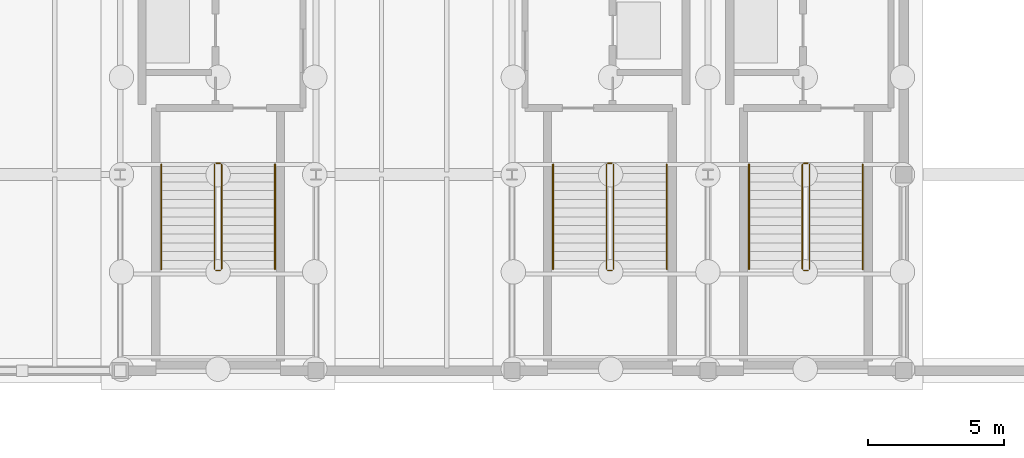
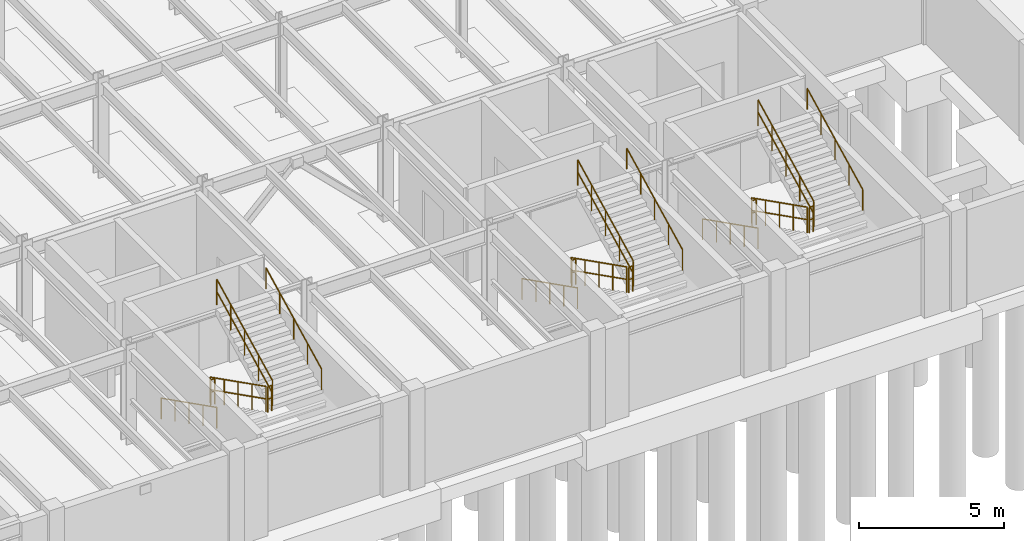
# One storey, part 44 of 46: 18 railings.
"""IFC4 building model written with IfcOpenShell, lengths in metres."""

from ifc_helpers import new_model, si_unit, direction, frame, origin, origin_2d, place, context, subcontext, project, spatial, circle, extrude, material, layer, layer_set, type_object, element, save


model = new_model("IFC4")

# Units and contexts
model_context = context("Model", 3, precision=1e-05, world=origin(), true_north=direction((0.0, 1.0)))
body_context = subcontext(model_context, "Body", "Model", "MODEL_VIEW")
ifc_project = project(units=[si_unit("LENGTHUNIT", "METRE"), si_unit("AREAUNIT", "SQUARE_METRE"), si_unit("VOLUMEUNIT", "CUBIC_METRE"), si_unit("PLANEANGLEUNIT", "RADIAN"), si_unit("MASSUNIT", "GRAM", prefix="KILO")], contexts=[model_context])

# Site, building, storey
site_placement = place(None, origin())
site = spatial("IfcSite", under=ifc_project, at=site_placement, CompositionType="ELEMENT")
building_placement = place(site_placement, origin())
building = spatial("IfcBuilding", under=site, at=building_placement, Name="Sillqori Civic Hall", CompositionType="ELEMENT")
storey_placement = place(building_placement, frame((0.0, 0.0, -4.199951171875)))
storey = spatial("IfcBuildingStorey", under=building, at=storey_placement, Name="B01", CompositionType="ELEMENT", Elevation=-4.199951171875)

# Railings
ifc_material_1 = material(Name="Brushed Stainless Steel 316 Handrail", Category="steel")
ifc_layer_1 = layer(ifc_material_1, 0.044921875)
ifc_layer_set_1 = layer_set([ifc_layer_1], Name="Brushed Stainless Steel 316 Handrail")
railing_type_1 = type_object("IfcRailingType", Name="RLG-CORE-092", PredefinedType="HANDRAIL", material=ifc_layer_set_1)
railing_1_placement = place(storey_placement, frame((66.31005859375, 86.77001953125, 0.161376953125)))
element("IfcRailing", 1, at=railing_1_placement, inside=storey, type_object=railing_type_1, Name="B01 ST-06 stair handrail 1", PredefinedType="HANDRAIL", context=body_context, shape_type="SweptSolid", body=[
    extrude(circle(Radius=0.02392578125, at=origin_2d()), frame((0.0, 0.0, 0.8759765625), z_axis=(0.0, -0.892706606903, 0.450638340569), x_axis=(1.0, 0.0, 0.0)), (0.0, 0.0, 1.0), 4.301513671875),
    extrude(circle(Radius=0.02099609375, at=origin_2d()), origin(), (0.0, 0.0, 1.0), 0.851806640625),
    extrude(circle(Radius=0.02099609375, at=origin_2d()), frame((0.0, -0.9599609375, 0.484619140625)), (0.0, 0.0, 1.0), 0.851806640625),
    extrude(circle(Radius=0.02099609375, at=origin_2d()), frame((0.0, -1.919921875, 0.96923828125)), (0.0, 0.0, 1.0), 0.851806640625),
    extrude(circle(Radius=0.02099609375, at=origin_2d()), frame((0.0, -2.880126953125, 1.453857421875)), (0.0, 0.0, 1.0), 0.851806640625),
    extrude(circle(Radius=0.02099609375, at=origin_2d()), frame((0.0, -3.840087890625, 1.9384765625)), (0.0, 0.0, 1.0), 0.851806640625),
])
railing_2_placement = place(storey_placement, frame((70.489990234375, 82.929931640625, 2.261474609375)))
element("IfcRailing", 2, at=railing_2_placement, inside=storey, type_object=railing_type_1, Name="B01 ST-06 stair handrail 2", PredefinedType="HANDRAIL", context=body_context, shape_type="SweptSolid", body=[
    extrude(circle(Radius=0.02392578125, at=origin_2d()), frame((0.0, 0.0, 0.8759765625), z_axis=(0.0, 0.892706606903, 0.450638340569), x_axis=(-1.0, 0.0, 0.0)), (0.0, 0.0, 1.0), 4.301513671875),
    extrude(circle(Radius=0.02099609375, at=origin_2d()), origin(), (0.0, 0.0, 1.0), 0.851806640625),
    extrude(circle(Radius=0.02099609375, at=origin_2d()), frame((0.0, 0.9599609375, 0.484619140625)), (0.0, 0.0, 1.0), 0.851806640625),
    extrude(circle(Radius=0.02099609375, at=origin_2d()), frame((0.0, 1.919921875, 0.96923828125)), (0.0, 0.0, 1.0), 0.851806640625),
    extrude(circle(Radius=0.02099609375, at=origin_2d()), frame((0.0, 2.880126953125, 1.453857421875)), (0.0, 0.0, 1.0), 0.851806640625),
    extrude(circle(Radius=0.02099609375, at=origin_2d()), frame((0.0, 3.840087890625, 1.9384765625)), (0.0, 0.0, 1.0), 0.851806640625),
])
railing_3_placement = place(storey_placement, frame((80.7099609375, 86.77001953125, 0.161376953125)))
element("IfcRailing", 3, at=railing_3_placement, inside=storey, type_object=railing_type_1, Name="B01 ST-07 stair handrail 1", PredefinedType="HANDRAIL", context=body_context, shape_type="SweptSolid", body=[
    extrude(circle(Radius=0.02392578125, at=origin_2d()), frame((0.0, 0.0, 0.8759765625), z_axis=(0.0, -0.892706606903, 0.450638340569), x_axis=(1.0, 0.0, 0.0)), (0.0, 0.0, 1.0), 4.301513671875),
    extrude(circle(Radius=0.02099609375, at=origin_2d()), origin(), (0.0, 0.0, 1.0), 0.851806640625),
    extrude(circle(Radius=0.02099609375, at=origin_2d()), frame((0.0, -0.9599609375, 0.484619140625)), (0.0, 0.0, 1.0), 0.851806640625),
    extrude(circle(Radius=0.02099609375, at=origin_2d()), frame((0.0, -1.919921875, 0.96923828125)), (0.0, 0.0, 1.0), 0.851806640625),
    extrude(circle(Radius=0.02099609375, at=origin_2d()), frame((0.0, -2.880126953125, 1.453857421875)), (0.0, 0.0, 1.0), 0.851806640625),
    extrude(circle(Radius=0.02099609375, at=origin_2d()), frame((0.0, -3.840087890625, 1.9384765625)), (0.0, 0.0, 1.0), 0.851806640625),
])
railing_4_placement = place(storey_placement, frame((84.889892578125, 82.929931640625, 2.261474609375)))
element("IfcRailing", 4, at=railing_4_placement, inside=storey, type_object=railing_type_1, Name="B01 ST-07 stair handrail 2", PredefinedType="HANDRAIL", context=body_context, shape_type="SweptSolid", body=[
    extrude(circle(Radius=0.02392578125, at=origin_2d()), frame((0.0, 0.0, 0.8759765625), z_axis=(0.0, 0.892706606903, 0.450638340569), x_axis=(-1.0, 0.0, 0.0)), (0.0, 0.0, 1.0), 4.301513671875),
    extrude(circle(Radius=0.02099609375, at=origin_2d()), origin(), (0.0, 0.0, 1.0), 0.851806640625),
    extrude(circle(Radius=0.02099609375, at=origin_2d()), frame((0.0, 0.9599609375, 0.484619140625)), (0.0, 0.0, 1.0), 0.851806640625),
    extrude(circle(Radius=0.02099609375, at=origin_2d()), frame((0.0, 1.919921875, 0.96923828125)), (0.0, 0.0, 1.0), 0.851806640625),
    extrude(circle(Radius=0.02099609375, at=origin_2d()), frame((0.0, 2.880126953125, 1.453857421875)), (0.0, 0.0, 1.0), 0.851806640625),
    extrude(circle(Radius=0.02099609375, at=origin_2d()), frame((0.0, 3.840087890625, 1.9384765625)), (0.0, 0.0, 1.0), 0.851806640625),
])
railing_5_placement = place(storey_placement, frame((87.909912109375, 86.77001953125, 0.161376953125)))
element("IfcRailing", 5, at=railing_5_placement, inside=storey, type_object=railing_type_1, Name="B01 ST-08 stair handrail 1", PredefinedType="HANDRAIL", context=body_context, shape_type="SweptSolid", body=[
    extrude(circle(Radius=0.02392578125, at=origin_2d()), frame((0.0, 0.0, 0.8759765625), z_axis=(0.0, -0.892706606903, 0.450638340569), x_axis=(1.0, 0.0, 0.0)), (0.0, 0.0, 1.0), 4.301513671875),
    extrude(circle(Radius=0.02099609375, at=origin_2d()), origin(), (0.0, 0.0, 1.0), 0.851806640625),
    extrude(circle(Radius=0.02099609375, at=origin_2d()), frame((0.0, -0.9599609375, 0.484619140625)), (0.0, 0.0, 1.0), 0.851806640625),
    extrude(circle(Radius=0.02099609375, at=origin_2d()), frame((0.0, -1.919921875, 0.96923828125)), (0.0, 0.0, 1.0), 0.851806640625),
    extrude(circle(Radius=0.02099609375, at=origin_2d()), frame((0.0, -2.880126953125, 1.453857421875)), (0.0, 0.0, 1.0), 0.851806640625),
    extrude(circle(Radius=0.02099609375, at=origin_2d()), frame((0.0, -3.840087890625, 1.9384765625)), (0.0, 0.0, 1.0), 0.851806640625),
])
railing_6_placement = place(storey_placement, frame((92.090087890625, 82.929931640625, 2.261474609375)))
element("IfcRailing", 6, at=railing_6_placement, inside=storey, type_object=railing_type_1, Name="B01 ST-08 stair handrail 2", PredefinedType="HANDRAIL", context=body_context, shape_type="SweptSolid", body=[
    extrude(circle(Radius=0.02392578125, at=origin_2d()), frame((0.0, 0.0, 0.8759765625), z_axis=(0.0, 0.892706606903, 0.450638340569), x_axis=(-1.0, 0.0, 0.0)), (0.0, 0.0, 1.0), 4.301513671875),
    extrude(circle(Radius=0.02099609375, at=origin_2d()), origin(), (0.0, 0.0, 1.0), 0.851806640625),
    extrude(circle(Radius=0.02099609375, at=origin_2d()), frame((0.0, 0.9599609375, 0.484619140625)), (0.0, 0.0, 1.0), 0.851806640625),
    extrude(circle(Radius=0.02099609375, at=origin_2d()), frame((0.0, 1.919921875, 0.96923828125)), (0.0, 0.0, 1.0), 0.851806640625),
    extrude(circle(Radius=0.02099609375, at=origin_2d()), frame((0.0, 2.880126953125, 1.453857421875)), (0.0, 0.0, 1.0), 0.851806640625),
    extrude(circle(Radius=0.02099609375, at=origin_2d()), frame((0.0, 3.840087890625, 1.9384765625)), (0.0, 0.0, 1.0), 0.851806640625),
])
ifc_material_2 = material(Name="Galvanized Painted Steel Guardrail", Category="steel")
ifc_layer_2 = layer(ifc_material_2, 0.050048828125)
ifc_layer_set_2 = layer_set([ifc_layer_2], Name="Galvanized Painted Steel Guardrail")
railing_type_2 = type_object("IfcRailingType", Name="RLG-CORE-110", PredefinedType="GUARDRAIL", material=ifc_layer_set_2)
railing_7_placement = place(storey_placement, frame((68.27001953125, 86.77001953125, 0.161376953125)))
element("IfcRailing", 7, at=railing_7_placement, inside=storey, type_object=railing_type_2, Name="B01 ST-06 stair guard 1", PredefinedType="GUARDRAIL", context=body_context, shape_type="SweptSolid", body=[
    extrude(circle(Radius=0.02392578125, at=origin_2d()), frame((0.0, 0.0, 1.076171875), z_axis=(0.0, -0.892706606903, 0.450638340569), x_axis=(1.0, 0.0, 0.0)), (0.0, 0.0, 1.0), 4.301513671875),
    extrude(circle(Radius=0.02392578125, at=origin_2d()), frame((0.0, 0.0, 0.550048828125), z_axis=(0.0, -0.892706606903, 0.450638340569), x_axis=(1.0, 0.0, 0.0)), (0.0, 0.0, 1.0), 4.301513671875),
    extrude(circle(Radius=0.02099609375, at=origin_2d()), origin(), (0.0, 0.0, 1.0), 1.052001953125),
    extrude(circle(Radius=0.02099609375, at=origin_2d()), frame((0.0, -0.9599609375, 0.484619140625)), (0.0, 0.0, 1.0), 1.052001953125),
    extrude(circle(Radius=0.02099609375, at=origin_2d()), frame((0.0, -1.919921875, 0.96923828125)), (0.0, 0.0, 1.0), 1.052001953125),
    extrude(circle(Radius=0.02099609375, at=origin_2d()), frame((0.0, -2.880126953125, 1.453857421875)), (0.0, 0.0, 1.0), 1.052001953125),
    extrude(circle(Radius=0.02099609375, at=origin_2d()), frame((0.0, -3.840087890625, 1.9384765625)), (0.0, 0.0, 1.0), 1.052001953125),
])
railing_8_placement = place(storey_placement, frame((68.320068359375, 82.8798828125, 2.099853515625)))
element("IfcRailing", 8, at=railing_8_placement, inside=storey, type_object=railing_type_2, Name="B01 ST-06 stair guard 2", PredefinedType="GUARDRAIL", context=body_context, shape_type="SweptSolid", body=[
    extrude(circle(Radius=0.02392578125, at=origin_2d()), frame((0.0, 0.0, 1.076171875), z_axis=(1.0, 0.0, 0.0), x_axis=(0.0, 1.0, 0.0)), (0.0, 0.0, 1.0), 0.159912109375),
    extrude(circle(Radius=0.02392578125, at=origin_2d()), frame((0.0, 0.0, 0.550048828125), z_axis=(1.0, 0.0, 0.0), x_axis=(0.0, 1.0, 0.0)), (0.0, 0.0, 1.0), 0.159912109375),
    extrude(circle(Radius=0.02099609375, at=origin_2d()), origin(), (0.0, 0.0, 1.0), 1.052001953125),
    extrude(circle(Radius=0.02099609375, at=origin_2d()), frame((0.159912109375, 0.0, 0.0)), (0.0, 0.0, 1.0), 1.052001953125),
])
railing_9_placement = place(storey_placement, frame((68.530029296875, 82.929931640625, 2.261474609375)))
element("IfcRailing", 9, at=railing_9_placement, inside=storey, type_object=railing_type_2, Name="B01 ST-06 stair guard 3", PredefinedType="GUARDRAIL", context=body_context, shape_type="SweptSolid", body=[
    extrude(circle(Radius=0.02392578125, at=origin_2d()), frame((0.0, 0.0, 1.076171875), z_axis=(0.0, 0.892706606903, 0.450638340569), x_axis=(-1.0, 0.0, 0.0)), (0.0, 0.0, 1.0), 4.301513671875),
    extrude(circle(Radius=0.02392578125, at=origin_2d()), frame((0.0, 0.0, 0.550048828125), z_axis=(0.0, 0.892706606903, 0.450638340569), x_axis=(-1.0, 0.0, 0.0)), (0.0, 0.0, 1.0), 4.301513671875),
    extrude(circle(Radius=0.02099609375, at=origin_2d()), origin(), (0.0, 0.0, 1.0), 1.052001953125),
    extrude(circle(Radius=0.02099609375, at=origin_2d()), frame((0.0, 0.9599609375, 0.484619140625)), (0.0, 0.0, 1.0), 1.052001953125),
    extrude(circle(Radius=0.02099609375, at=origin_2d()), frame((0.0, 1.919921875, 0.96923828125)), (0.0, 0.0, 1.0), 1.052001953125),
    extrude(circle(Radius=0.02099609375, at=origin_2d()), frame((0.0, 2.880126953125, 1.453857421875)), (0.0, 0.0, 1.0), 1.052001953125),
    extrude(circle(Radius=0.02099609375, at=origin_2d()), frame((0.0, 3.840087890625, 1.9384765625)), (0.0, 0.0, 1.0), 1.052001953125),
])
railing_10_placement = place(storey_placement, frame((68.320068359375, 86.820068359375, 0.0)))
element("IfcRailing", 10, at=railing_10_placement, inside=storey, type_object=railing_type_2, Name="B01 ST-06 stair guard 4", PredefinedType="GUARDRAIL", context=body_context, shape_type="SweptSolid", body=[
    extrude(circle(Radius=0.02392578125, at=origin_2d()), frame((0.0, 0.0, 1.076171875), z_axis=(1.0, 0.0, 0.0), x_axis=(0.0, 1.0, 0.0)), (0.0, 0.0, 1.0), 0.159912109375),
    extrude(circle(Radius=0.02392578125, at=origin_2d()), frame((0.0, 0.0, 0.550048828125), z_axis=(1.0, 0.0, 0.0), x_axis=(0.0, 1.0, 0.0)), (0.0, 0.0, 1.0), 0.159912109375),
    extrude(circle(Radius=0.02099609375, at=origin_2d()), origin(), (0.0, 0.0, 1.0), 1.052001953125),
    extrude(circle(Radius=0.02099609375, at=origin_2d()), frame((0.159912109375, 0.0, 0.0)), (0.0, 0.0, 1.0), 1.052001953125),
])
railing_11_placement = place(storey_placement, frame((82.669921875, 86.77001953125, 0.161376953125)))
element("IfcRailing", 11, at=railing_11_placement, inside=storey, type_object=railing_type_2, Name="B01 ST-07 stair guard 1", PredefinedType="GUARDRAIL", context=body_context, shape_type="SweptSolid", body=[
    extrude(circle(Radius=0.02392578125, at=origin_2d()), frame((0.0, 0.0, 1.076171875), z_axis=(0.0, -0.892706606903, 0.450638340569), x_axis=(1.0, 0.0, 0.0)), (0.0, 0.0, 1.0), 4.301513671875),
    extrude(circle(Radius=0.02392578125, at=origin_2d()), frame((0.0, 0.0, 0.550048828125), z_axis=(0.0, -0.892706606903, 0.450638340569), x_axis=(1.0, 0.0, 0.0)), (0.0, 0.0, 1.0), 4.301513671875),
    extrude(circle(Radius=0.02099609375, at=origin_2d()), origin(), (0.0, 0.0, 1.0), 1.052001953125),
    extrude(circle(Radius=0.02099609375, at=origin_2d()), frame((0.0, -0.9599609375, 0.484619140625)), (0.0, 0.0, 1.0), 1.052001953125),
    extrude(circle(Radius=0.02099609375, at=origin_2d()), frame((0.0, -1.919921875, 0.96923828125)), (0.0, 0.0, 1.0), 1.052001953125),
    extrude(circle(Radius=0.02099609375, at=origin_2d()), frame((0.0, -2.880126953125, 1.453857421875)), (0.0, 0.0, 1.0), 1.052001953125),
    extrude(circle(Radius=0.02099609375, at=origin_2d()), frame((0.0, -3.840087890625, 1.9384765625)), (0.0, 0.0, 1.0), 1.052001953125),
])
railing_12_placement = place(storey_placement, frame((82.719970703125, 82.8798828125, 2.099853515625)))
element("IfcRailing", 12, at=railing_12_placement, inside=storey, type_object=railing_type_2, Name="B01 ST-07 stair guard 2", PredefinedType="GUARDRAIL", context=body_context, shape_type="SweptSolid", body=[
    extrude(circle(Radius=0.02392578125, at=origin_2d()), frame((0.0, 0.0, 1.076171875), z_axis=(1.0, 0.0, 0.0), x_axis=(0.0, 1.0, 0.0)), (0.0, 0.0, 1.0), 0.159912109375),
    extrude(circle(Radius=0.02392578125, at=origin_2d()), frame((0.0, 0.0, 0.550048828125), z_axis=(1.0, 0.0, 0.0), x_axis=(0.0, 1.0, 0.0)), (0.0, 0.0, 1.0), 0.159912109375),
    extrude(circle(Radius=0.02099609375, at=origin_2d()), origin(), (0.0, 0.0, 1.0), 1.052001953125),
    extrude(circle(Radius=0.02099609375, at=origin_2d()), frame((0.159912109375, 0.0, 0.0)), (0.0, 0.0, 1.0), 1.052001953125),
])
railing_13_placement = place(storey_placement, frame((82.929931640625, 82.929931640625, 2.261474609375)))
element("IfcRailing", 13, at=railing_13_placement, inside=storey, type_object=railing_type_2, Name="B01 ST-07 stair guard 3", PredefinedType="GUARDRAIL", context=body_context, shape_type="SweptSolid", body=[
    extrude(circle(Radius=0.02392578125, at=origin_2d()), frame((0.0, 0.0, 1.076171875), z_axis=(0.0, 0.892706606903, 0.450638340569), x_axis=(-1.0, 0.0, 0.0)), (0.0, 0.0, 1.0), 4.301513671875),
    extrude(circle(Radius=0.02392578125, at=origin_2d()), frame((0.0, 0.0, 0.550048828125), z_axis=(0.0, 0.892706606903, 0.450638340569), x_axis=(-1.0, 0.0, 0.0)), (0.0, 0.0, 1.0), 4.301513671875),
    extrude(circle(Radius=0.02099609375, at=origin_2d()), origin(), (0.0, 0.0, 1.0), 1.052001953125),
    extrude(circle(Radius=0.02099609375, at=origin_2d()), frame((0.0, 0.9599609375, 0.484619140625)), (0.0, 0.0, 1.0), 1.052001953125),
    extrude(circle(Radius=0.02099609375, at=origin_2d()), frame((0.0, 1.919921875, 0.96923828125)), (0.0, 0.0, 1.0), 1.052001953125),
    extrude(circle(Radius=0.02099609375, at=origin_2d()), frame((0.0, 2.880126953125, 1.453857421875)), (0.0, 0.0, 1.0), 1.052001953125),
    extrude(circle(Radius=0.02099609375, at=origin_2d()), frame((0.0, 3.840087890625, 1.9384765625)), (0.0, 0.0, 1.0), 1.052001953125),
])
railing_14_placement = place(storey_placement, frame((82.719970703125, 86.820068359375, 0.0)))
element("IfcRailing", 14, at=railing_14_placement, inside=storey, type_object=railing_type_2, Name="B01 ST-07 stair guard 4", PredefinedType="GUARDRAIL", context=body_context, shape_type="SweptSolid", body=[
    extrude(circle(Radius=0.02392578125, at=origin_2d()), frame((0.0, 0.0, 1.076171875), z_axis=(1.0, 0.0, 0.0), x_axis=(0.0, 1.0, 0.0)), (0.0, 0.0, 1.0), 0.159912109375),
    extrude(circle(Radius=0.02392578125, at=origin_2d()), frame((0.0, 0.0, 0.550048828125), z_axis=(1.0, 0.0, 0.0), x_axis=(0.0, 1.0, 0.0)), (0.0, 0.0, 1.0), 0.159912109375),
    extrude(circle(Radius=0.02099609375, at=origin_2d()), origin(), (0.0, 0.0, 1.0), 1.052001953125),
    extrude(circle(Radius=0.02099609375, at=origin_2d()), frame((0.159912109375, 0.0, 0.0)), (0.0, 0.0, 1.0), 1.052001953125),
])
railing_15_placement = place(storey_placement, frame((89.8701171875, 86.77001953125, 0.161376953125)))
element("IfcRailing", 15, at=railing_15_placement, inside=storey, type_object=railing_type_2, Name="B01 ST-08 stair guard 1", PredefinedType="GUARDRAIL", context=body_context, shape_type="SweptSolid", body=[
    extrude(circle(Radius=0.02392578125, at=origin_2d()), frame((0.0, 0.0, 1.076171875), z_axis=(0.0, -0.892706606903, 0.450638340569), x_axis=(1.0, 0.0, 0.0)), (0.0, 0.0, 1.0), 4.301513671875),
    extrude(circle(Radius=0.02392578125, at=origin_2d()), frame((0.0, 0.0, 0.550048828125), z_axis=(0.0, -0.892706606903, 0.450638340569), x_axis=(1.0, 0.0, 0.0)), (0.0, 0.0, 1.0), 4.301513671875),
    extrude(circle(Radius=0.02099609375, at=origin_2d()), origin(), (0.0, 0.0, 1.0), 1.052001953125),
    extrude(circle(Radius=0.02099609375, at=origin_2d()), frame((0.0, -0.9599609375, 0.484619140625)), (0.0, 0.0, 1.0), 1.052001953125),
    extrude(circle(Radius=0.02099609375, at=origin_2d()), frame((0.0, -1.919921875, 0.96923828125)), (0.0, 0.0, 1.0), 1.052001953125),
    extrude(circle(Radius=0.02099609375, at=origin_2d()), frame((0.0, -2.880126953125, 1.453857421875)), (0.0, 0.0, 1.0), 1.052001953125),
    extrude(circle(Radius=0.02099609375, at=origin_2d()), frame((0.0, -3.840087890625, 1.9384765625)), (0.0, 0.0, 1.0), 1.052001953125),
])
railing_16_placement = place(storey_placement, frame((89.919921875, 82.8798828125, 2.099853515625)))
element("IfcRailing", 16, at=railing_16_placement, inside=storey, type_object=railing_type_2, Name="B01 ST-08 stair guard 2", PredefinedType="GUARDRAIL", context=body_context, shape_type="SweptSolid", body=[
    extrude(circle(Radius=0.02392578125, at=origin_2d()), frame((0.0, 0.0, 1.076171875), z_axis=(1.0, 0.0, 0.0), x_axis=(0.0, 1.0, 0.0)), (0.0, 0.0, 1.0), 0.16015625),
    extrude(circle(Radius=0.02392578125, at=origin_2d()), frame((0.0, 0.0, 0.550048828125), z_axis=(1.0, 0.0, 0.0), x_axis=(0.0, 1.0, 0.0)), (0.0, 0.0, 1.0), 0.16015625),
    extrude(circle(Radius=0.02099609375, at=origin_2d()), origin(), (0.0, 0.0, 1.0), 1.052001953125),
    extrude(circle(Radius=0.02099609375, at=origin_2d()), frame((0.16015625, 0.0, 0.0)), (0.0, 0.0, 1.0), 1.052001953125),
])
railing_17_placement = place(storey_placement, frame((90.1298828125, 82.929931640625, 2.261474609375)))
element("IfcRailing", 17, at=railing_17_placement, inside=storey, type_object=railing_type_2, Name="B01 ST-08 stair guard 3", PredefinedType="GUARDRAIL", context=body_context, shape_type="SweptSolid", body=[
    extrude(circle(Radius=0.02392578125, at=origin_2d()), frame((0.0, 0.0, 1.076171875), z_axis=(0.0, 0.892706606903, 0.450638340569), x_axis=(-1.0, 0.0, 0.0)), (0.0, 0.0, 1.0), 4.301513671875),
    extrude(circle(Radius=0.02392578125, at=origin_2d()), frame((0.0, 0.0, 0.550048828125), z_axis=(0.0, 0.892706606903, 0.450638340569), x_axis=(-1.0, 0.0, 0.0)), (0.0, 0.0, 1.0), 4.301513671875),
    extrude(circle(Radius=0.02099609375, at=origin_2d()), origin(), (0.0, 0.0, 1.0), 1.052001953125),
    extrude(circle(Radius=0.02099609375, at=origin_2d()), frame((0.0, 0.9599609375, 0.484619140625)), (0.0, 0.0, 1.0), 1.052001953125),
    extrude(circle(Radius=0.02099609375, at=origin_2d()), frame((0.0, 1.919921875, 0.96923828125)), (0.0, 0.0, 1.0), 1.052001953125),
    extrude(circle(Radius=0.02099609375, at=origin_2d()), frame((0.0, 2.880126953125, 1.453857421875)), (0.0, 0.0, 1.0), 1.052001953125),
    extrude(circle(Radius=0.02099609375, at=origin_2d()), frame((0.0, 3.840087890625, 1.9384765625)), (0.0, 0.0, 1.0), 1.052001953125),
])
railing_18_placement = place(storey_placement, frame((89.919921875, 86.820068359375, 0.0)))
element("IfcRailing", 18, at=railing_18_placement, inside=storey, type_object=railing_type_2, Name="B01 ST-08 stair guard 4", PredefinedType="GUARDRAIL", context=body_context, shape_type="SweptSolid", body=[
    extrude(circle(Radius=0.02392578125, at=origin_2d()), frame((0.0, 0.0, 1.076171875), z_axis=(1.0, 0.0, 0.0), x_axis=(0.0, 1.0, 0.0)), (0.0, 0.0, 1.0), 0.16015625),
    extrude(circle(Radius=0.02392578125, at=origin_2d()), frame((0.0, 0.0, 0.550048828125), z_axis=(1.0, 0.0, 0.0), x_axis=(0.0, 1.0, 0.0)), (0.0, 0.0, 1.0), 0.16015625),
    extrude(circle(Radius=0.02099609375, at=origin_2d()), origin(), (0.0, 0.0, 1.0), 1.052001953125),
    extrude(circle(Radius=0.02099609375, at=origin_2d()), frame((0.16015625, 0.0, 0.0)), (0.0, 0.0, 1.0), 1.052001953125),
])

save(model, "model.ifc")
